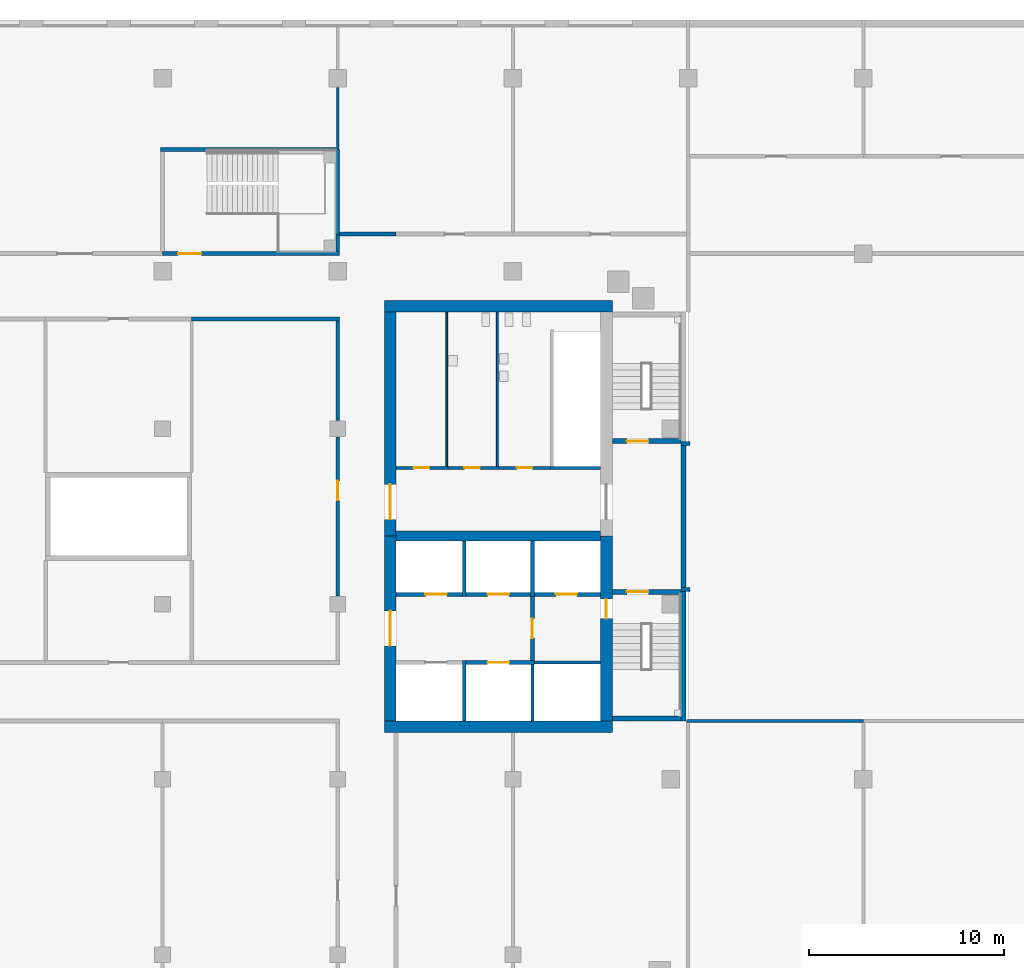
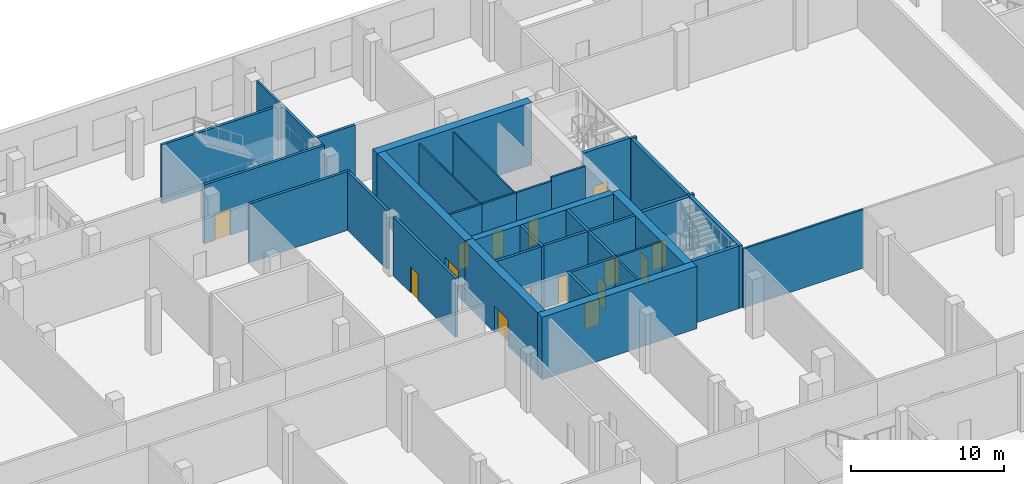
# One storey, part 6 of 21: 39 walls, 15 doors, 15 openings.
"""IFC4 building model written with IfcOpenShell, lengths in metres."""

import ifcopenshell
import ifcopenshell.guid

model = None  # the IFC model being written
_history = None  # IfcOwnerHistory: only IFC2X3 demands one
_inside = {}  # id of a spatial element -> (the spatial element, [elements in it])
_under = {}  # id of a project, library or spatial element -> (it, [spatial elements below it])
_declared = {}  # id of a project -> (the project, [libraries it declares])
_typed = {}  # id of a type object -> (the type object, [elements of that type])
_made_of = {}  # id of a material, layer set ... -> (it, [elements and type objects made of it])


def new_model(schema):
    """Start an empty IFC model of exactly this schema.

    Asked for "IFC4X3", IfcOpenShell would pick the latest addendum, in which some entities
    have other attributes; the version numbers below select the first issue.
    IFC2X3 requires an IfcOwnerHistory on every rooted entity: one is made here for all.
    """
    global model, _history
    if schema == "IFC4X3":
        model = ifcopenshell.file(schema_version=(4, 3, 0, 0))
    else:
        model = ifcopenshell.file(schema=schema)
    _inside.clear()
    _under.clear()
    _declared.clear()
    _typed.clear()
    _made_of.clear()
    _history = None
    if model.schema == "IFC2X3":
        org = make("IfcOrganization", Name="unknown")
        user = make(
            "IfcPersonAndOrganization",
            ThePerson=make("IfcPerson", FamilyName="unknown"),
            TheOrganization=org,
        )
        app = make(
            "IfcApplication",
            ApplicationDeveloper=org,
            Version="unknown",
            ApplicationFullName="unknown",
            ApplicationIdentifier="unknown",
        )
        _history = make(
            "IfcOwnerHistory",
            OwningUser=user,
            OwningApplication=app,
            ChangeAction="ADDED",
            CreationDate=0,
        )
    return model


def make(cls, **values):
    """One entity of the class cls with the attributes given. An attribute that is None is left unset."""
    return model.create_entity(
        cls, **{name: value for name, value in values.items() if value is not None}
    )


def rooted(cls, **values):
    """An entity with a GlobalId (a new one), such as an element, a storey or a relation."""
    return make(cls, GlobalId=ifcopenshell.guid.new(), OwnerHistory=_history, **values)


def si_unit(unit_type, name, prefix=None):
    """IfcSIUnit, for example si_unit("LENGTHUNIT", "METRE", prefix="MILLI")."""
    return make("IfcSIUnit", UnitType=unit_type, Prefix=prefix, Name=name)


def assignment(units):
    """IfcUnitAssignment: the units of a project."""
    return None if units is None else make("IfcUnitAssignment", Units=units)


def point(xyz):
    """IfcCartesianPoint."""
    return None if xyz is None else make("IfcCartesianPoint", Coordinates=xyz)


def direction(xyz):
    """IfcDirection."""
    return None if xyz is None else make("IfcDirection", DirectionRatios=xyz)


def frame(location, z_axis=None, x_axis=None):
    """IfcAxis2Placement3D, a coordinate frame: its origin and axes. An axis left out is left unset."""
    return make(
        "IfcAxis2Placement3D",
        Location=point(location),
        Axis=direction(z_axis),
        RefDirection=direction(x_axis),
    )


def frame_2d(location, x_axis=None):
    """IfcAxis2Placement2D, a coordinate frame in the plane: its origin and x axis."""
    return make(
        "IfcAxis2Placement2D", Location=point(location), RefDirection=direction(x_axis)
    )


def origin():
    """The frame at (0, 0, 0) with its axes left unset."""
    return frame((0.0, 0.0, 0.0))


def place(relative_to, where):
    """IfcLocalPlacement: puts the frame where relative to a parent placement (None: the world)."""
    return make(
        "IfcLocalPlacement", PlacementRelTo=relative_to, RelativePlacement=where
    )


def context(
    kind, dimensions, precision=None, world=None, true_north=None, identifier=None
):
    """IfcGeometricRepresentationContext, for example the 3D "Model" context."""
    return make(
        "IfcGeometricRepresentationContext",
        ContextIdentifier=identifier,
        ContextType=kind,
        CoordinateSpaceDimension=dimensions,
        Precision=precision,
        WorldCoordinateSystem=world,
        TrueNorth=true_north,
    )


def subcontext(parent, identifier, kind, view, scale=None):
    """IfcGeometricRepresentationSubContext, for example "Body" below "Model"."""
    return make(
        "IfcGeometricRepresentationSubContext",
        ContextIdentifier=identifier,
        ContextType=kind,
        ParentContext=parent,
        TargetScale=scale,
        TargetView=view,
    )


def project(units=None, contexts=None):
    """IfcProject with its units and contexts."""
    return rooted(
        "IfcProject",
        Name="project",
        RepresentationContexts=contexts,
        UnitsInContext=assignment(units),
    )


def spatial(cls, under=None, at=None, **own):
    """A site, building, storey or space (cls), placed at a placement, below another one or the project."""
    s = rooted(cls, ObjectPlacement=at, **own)
    if under is not None:
        _under.setdefault(under.id(), (under, []))[1].append(s)
    return s


def profile(cls, at=None, kind="AREA", **sizes):
    """A parametric profile (cls). Its sizes go by their IFC names, for example OverallWidth=200.0."""
    return make(cls, ProfileType=kind, Position=at, **sizes)


def rectangle(**sizes):
    """IfcRectangleProfileDef."""
    return profile("IfcRectangleProfileDef", **sizes)


def extrude(swept, where, along, depth):
    """IfcExtrudedAreaSolid: the profile swept, set in the frame where, extruded along a direction by depth."""
    return make(
        "IfcExtrudedAreaSolid",
        SweptArea=swept,
        Position=where,
        ExtrudedDirection=direction(along),
        Depth=depth,
    )


def shape(context_of_items, identifier, shape_type, items):
    """IfcShapeRepresentation: the items that make up one representation, for example the "Body"."""
    return make(
        "IfcShapeRepresentation",
        ContextOfItems=context_of_items,
        RepresentationIdentifier=identifier,
        RepresentationType=shape_type,
        Items=items,
    )


def material(Name=None, Category=None):
    """IfcMaterial."""
    return make("IfcMaterial", Name=Name, Category=Category)


def layer(
    of_material, thickness, ventilated=None, Name=None, Category=None, Priority=None
):
    """IfcMaterialLayer: one layer of a wall or slab, of a material (None: an air gap)."""
    return make(
        "IfcMaterialLayer",
        Material=of_material,
        LayerThickness=thickness,
        IsVentilated=ventilated,
        Name=Name,
        Category=Category,
        Priority=Priority,
    )


def layer_set(layers, Name=None):
    """IfcMaterialLayerSet."""
    return make("IfcMaterialLayerSet", MaterialLayers=layers, LayerSetName=Name)


def made_of(thing, what):
    """Note that an element or type object is made of a material, layer set ...; save() writes the relation."""
    if what is not None:
        _made_of.setdefault(what.id(), (what, []))[1].append(thing)
    return thing


def type_object(cls, material=None, **own):
    """A type object (cls), such as IfcWallType, which elements share."""
    return made_of(rooted(cls, **own), material)


def element(
    cls,
    number,
    at=None,
    inside=None,
    cuts=None,
    type_object=None,
    material=None,
    context=None,
    identifier="Body",
    shape_type=None,
    held_by="IfcProductDefinitionShape",
    body=None,
    shapes=None,
    **own,
):
    """One element of the class cls, such as IfcWall. Its Tag is "e" and its number.

    at: its placement. inside: the storey or other place that contains it. cuts: it is an
    opening in that element (IfcRelVoidsElement). A single representation is given by context,
    identifier, shape_type and body (its items); several are given by shapes. held_by: the class
    of the entity that holds the representations. save() writes the other relations.
    """
    e = rooted(cls, Tag="e%d" % number, ObjectPlacement=at, **own)
    if body is not None:
        shapes = [shape(context, identifier, shape_type, body)]
    if shapes is not None:
        e.Representation = make(held_by, Representations=shapes)
    if inside is not None:
        _inside.setdefault(inside.id(), (inside, []))[1].append(e)
    if cuts is not None:
        rooted(
            "IfcRelVoidsElement", RelatingBuildingElement=cuts, RelatedOpeningElement=e
        )
    if type_object is not None:
        _typed.setdefault(type_object.id(), (type_object, []))[1].append(e)
    return made_of(e, material)


def fill(opening, filler):
    """IfcRelFillsElement: the door or window that sits in an opening."""
    return rooted(
        "IfcRelFillsElement",
        RelatingOpeningElement=opening,
        RelatedBuildingElement=filler,
    )


def aggregate(whole, parts):
    """IfcRelAggregates: a whole, such as a stair, and the parts it consists of."""
    return rooted("IfcRelAggregates", RelatingObject=whole, RelatedObjects=parts)


def save(model, path):
    """Write the relations noted so far, then the file.

    IfcRelAggregates (storeys below a building ...), IfcRelContainedInSpatialStructure (elements
    in a storey), IfcRelDefinesByType, IfcRelAssociatesMaterial and IfcRelDeclares: one each for
    every whole, place, type object, material and project.
    """
    for whole, parts in _under.values():
        aggregate(whole, parts)
    for where, things in _inside.values():
        rooted(
            "IfcRelContainedInSpatialStructure",
            RelatedElements=things,
            RelatingStructure=where,
        )
    for kind, things in _typed.values():
        rooted("IfcRelDefinesByType", RelatedObjects=things, RelatingType=kind)
    for what, things in _made_of.values():
        rooted("IfcRelAssociatesMaterial", RelatedObjects=things, RelatingMaterial=what)
    for by, libraries in _declared.values():
        rooted("IfcRelDeclares", RelatingContext=by, RelatedDefinitions=libraries)
    model.write(path)


model = new_model("IFC4")

# Units and contexts
model_context = context("Model", 3, precision=1e-05, world=origin(), true_north=direction((0.0, 1.0)))
body_context = subcontext(model_context, "Body", "Model", "MODEL_VIEW")
ifc_project = project(units=[si_unit("LENGTHUNIT", "METRE"), si_unit("AREAUNIT", "SQUARE_METRE"), si_unit("VOLUMEUNIT", "CUBIC_METRE"), si_unit("PLANEANGLEUNIT", "RADIAN"), si_unit("MASSUNIT", "GRAM", prefix="KILO")], contexts=[model_context])

# Site, building, storey
site_placement = place(None, origin())
site = spatial("IfcSite", under=ifc_project, at=site_placement, CompositionType="ELEMENT")
building_placement = place(site_placement, origin())
building = spatial("IfcBuilding", under=site, at=building_placement, Name="Cinnabar Reach Civic Tower", CompositionType="ELEMENT")
storey_placement = place(building_placement, frame((0.0, 0.0, 11.0)))
storey = spatial("IfcBuildingStorey", under=building, at=storey_placement, Name="L02", CompositionType="ELEMENT", Elevation=11.0)

# Walls
ifc_material_1 = material(Name="Concrete C60", Category="concrete")
ifc_layer_1 = layer(ifc_material_1, 0.5)
ifc_layer_set_1 = layer_set([ifc_layer_1], Name="Core wall 500 EI 180")
wall_type_1 = type_object("IfcWallType", Name="Core wall 500 EI 180", PredefinedType="SOLIDWALL", material=ifc_layer_set_1)
wall_1_placement = place(storey_placement, frame((-42.0, 30.5, 0.0), z_axis=(0.0, 0.0, 1.0), x_axis=(1.0, 0.0, 0.0)))
element("IfcWall", 1, at=wall_1_placement, inside=storey, type_object=wall_type_1, Name="Core spine wall T2 L02", PredefinedType="SOLIDWALL", context=body_context, shape_type="SweptSolid", body=[
    extrude(rectangle(XDim=10.5, YDim=0.5, at=frame_2d((5.25, 0.0))), origin(), (0.0, 0.0, 1.0), 5.0),
])
ifc_material_2 = material(Name="Concrete C70", Category="concrete")
ifc_layer_2 = layer(ifc_material_2, 0.6)
ifc_layer_set_2 = layer_set([ifc_layer_2], Name="Core wall 600 EI 180")
wall_type_2 = type_object("IfcWallType", Name="Core wall 600 EI 180", PredefinedType="SOLIDWALL", material=ifc_layer_set_2)
for number, where, z_axis, x_axis, name in (
    (2, (-42.6, 20.7, 0.0), (0.0, 0.0, 1.0), (1.0, 0.0, 0.0), "Core wall T2 L02 S"),
    (3, (-30.9, 42.3, 0.0), (0.0, 0.0, 1.0), (-1.0, 0.0, 0.0), "Core wall T2 L02 N"),
):
    element("IfcWall", number, at=place(storey_placement, frame(where, z_axis=z_axis, x_axis=x_axis)), inside=storey, type_object=wall_type_2, Name=name, PredefinedType="SOLIDWALL", context=body_context, shape_type="SweptSolid", body=[
        extrude(rectangle(XDim=11.7, YDim=0.6, at=frame_2d((5.85, 0.0))), origin(), (0.0, 0.0, 1.0), 5.0),
    ])

# Wall, opening, door
wall_2_placement = place(storey_placement, frame((-31.2, 21.0, 0.0), z_axis=(0.0, 0.0, 1.0), x_axis=(0.0, 1.0, 0.0)))
wall_2 = element("IfcWall", 4, at=wall_2_placement, inside=storey, type_object=wall_type_2, Name="Core wall T2 L02 E", PredefinedType="SOLIDWALL", context=body_context, shape_type="SweptSolid", body=[
    extrude(rectangle(XDim=9.5, YDim=0.6, at=frame_2d((4.75, 0.0))), origin(), (0.0, 0.0, 1.0), 5.0),
])
opening_1_placement = place(wall_2_placement, frame((5.25, 0.0, 0.0)))
opening_1 = element("IfcOpeningElement", 5, at=opening_1_placement, cuts=wall_2, Name="Opening D6054", PredefinedType="OPENING", context=body_context, shape_type="SweptSolid", body=[
    extrude(rectangle(XDim=1.0, YDim=2.1, at=frame_2d((0.5, 1.05))), frame((0.0, 0.31, 0.0), z_axis=(0.0, -1.0, 0.0), x_axis=(1.0, 0.0, 0.0)), (0.0, 0.0, 1.0), 0.62),
])
ifc_material_3 = material(Name="Steel fire door", Category="steel")
door_type_1 = type_object("IfcDoorType", Name="T2 Firefighting lobby door 1000", OperationType="SINGLE_SWING_LEFT", PredefinedType="DOOR", material=ifc_material_3)
door_1_placement = place(opening_1_placement, frame((1.0, 0.0, 0.0), z_axis=(0.0, 0.0, 1.0), x_axis=(-1.0, 0.0, 0.0)))
door_1 = element("IfcDoor", 6, at=door_1_placement, inside=storey, type_object=door_type_1, Name="T2 Firefighting lobby door D6054", OperationType="SINGLE_SWING_LEFT", OverallHeight=2.1, OverallWidth=1.0, PredefinedType="DOOR", context=body_context, shape_type="SweptSolid", body=[
    extrude(rectangle(XDim=1.0, YDim=2.1, at=frame_2d((0.5, 1.05))), frame((0.0, 0.025, 0.0), z_axis=(0.0, -1.0, 0.0), x_axis=(1.0, 0.0, 0.0)), (0.0, 0.0, 1.0), 0.05),
])
fill(opening_1, door_1)

wall_3_placement = place(storey_placement, frame((-42.3, 42.0, 0.0), z_axis=(0.0, 0.0, 1.0), x_axis=(0.0, -1.0, 0.0)))
wall_3 = element("IfcWall", 7, at=wall_3_placement, inside=storey, type_object=wall_type_2, Name="Core wall T2 L02 W", PredefinedType="SOLIDWALL", context=body_context, shape_type="SweptSolid", body=[
    extrude(rectangle(XDim=11.5, YDim=0.6, at=frame_2d((5.75, 0.0))), origin(), (0.0, 0.0, 1.0), 5.0),
])
opening_2_placement = place(wall_3_placement, frame((8.85, 0.0, 0.0)))
opening_2 = element("IfcOpeningElement", 8, at=opening_2_placement, cuts=wall_3, Name="Opening D6059", PredefinedType="OPENING", context=body_context, shape_type="SweptSolid", body=[
    extrude(rectangle(XDim=1.8, YDim=2.1, at=frame_2d((0.9, 1.05))), frame((0.0, 0.31, 0.0), z_axis=(0.0, -1.0, 0.0), x_axis=(1.0, 0.0, 0.0)), (0.0, 0.0, 1.0), 0.62),
])
door_type_2 = type_object("IfcDoorType", Name="T2 Double door 1800", OperationType="DOUBLE_DOOR_SINGLE_SWING", PredefinedType="DOOR", material=ifc_material_3)
door_2_placement = place(opening_2_placement, frame((1.8, 0.0, 0.0), z_axis=(0.0, 0.0, 1.0), x_axis=(-1.0, 0.0, 0.0)))
door_2 = element("IfcDoor", 9, at=door_2_placement, inside=storey, type_object=door_type_2, Name="T2 Double door D6059", OperationType="DOUBLE_DOOR_SINGLE_SWING", OverallHeight=2.1, OverallWidth=1.8, PredefinedType="DOOR", context=body_context, shape_type="SweptSolid", body=[
    extrude(rectangle(XDim=1.8, YDim=2.1, at=frame_2d((0.9, 1.05))), frame((0.0, 0.025, 0.0), z_axis=(0.0, -1.0, 0.0), x_axis=(1.0, 0.0, 0.0)), (0.0, 0.0, 1.0), 0.05),
])
fill(opening_2, door_2)

wall_4_placement = place(storey_placement, frame((-42.3, 30.5, 0.0), z_axis=(0.0, 0.0, 1.0), x_axis=(0.0, -1.0, 0.0)))
wall_4 = element("IfcWall", 10, at=wall_4_placement, inside=storey, type_object=wall_type_2, Name="Core wall T2 L02 W2", PredefinedType="SOLIDWALL", context=body_context, shape_type="SweptSolid", body=[
    extrude(rectangle(XDim=9.5, YDim=0.6, at=frame_2d((4.75, 0.0))), origin(), (0.0, 0.0, 1.0), 5.0),
])
opening_3_placement = place(wall_4_placement, frame((3.85, 0.0, 0.0)))
opening_3 = element("IfcOpeningElement", 11, at=opening_3_placement, cuts=wall_4, Name="Opening D6058", PredefinedType="OPENING", context=body_context, shape_type="SweptSolid", body=[
    extrude(rectangle(XDim=1.8, YDim=2.1, at=frame_2d((0.9, 1.05))), frame((0.0, 0.31, 0.0), z_axis=(0.0, -1.0, 0.0), x_axis=(1.0, 0.0, 0.0)), (0.0, 0.0, 1.0), 0.62),
])
door_3_placement = place(opening_3_placement, origin())
door_3 = element("IfcDoor", 12, at=door_3_placement, inside=storey, type_object=door_type_2, Name="T2 Double door D6058", OperationType="DOUBLE_DOOR_SINGLE_SWING", OverallHeight=2.1, OverallWidth=1.8, PredefinedType="DOOR", context=body_context, shape_type="SweptSolid", body=[
    extrude(rectangle(XDim=1.8, YDim=2.1, at=frame_2d((0.9, 1.05))), frame((0.0, 0.025, 0.0), z_axis=(0.0, -1.0, 0.0), x_axis=(1.0, 0.0, 0.0)), (0.0, 0.0, 1.0), 0.05),
])
fill(opening_3, door_3)

ifc_material_4 = material(Name="Concrete blockwork", Category="masonry")
ifc_layer_3 = layer(ifc_material_4, 0.2)
ifc_layer_set_3 = layer_set([ifc_layer_3], Name="Podium masonry corridor wall 200 EI 120")
wall_type_3 = type_object("IfcWallType", Name="Podium masonry corridor wall 200 EI 120", PredefinedType="PARTITIONING", material=ifc_layer_set_3)
wall_5_placement = place(storey_placement, frame((-45.0, 27.42, 0.0), z_axis=(0.0, 0.0, 1.0), x_axis=(0.0, 1.0, 0.0)))
wall_5 = element("IfcWall", 13, at=wall_5_placement, inside=storey, type_object=wall_type_3, Name="Wall L02 71", PredefinedType="PARTITIONING", context=body_context, shape_type="SweptSolid", body=[
    extrude(rectangle(XDim=8.16, YDim=0.2, at=frame_2d((4.08, 0.0))), origin(), (0.0, 0.0, 1.0), 4.7),
])
opening_4_placement = place(wall_5_placement, frame((4.905, 0.0, 0.0)))
opening_4 = element("IfcOpeningElement", 14, at=opening_4_placement, cuts=wall_5, Name="Opening D1137", PredefinedType="OPENING", context=body_context, shape_type="SweptSolid", body=[
    extrude(rectangle(XDim=1.0, YDim=2.1, at=frame_2d((0.5, 1.05))), frame((0.0, 0.11, 0.0), z_axis=(0.0, -1.0, 0.0), x_axis=(1.0, 0.0, 0.0)), (0.0, 0.0, 1.0), 0.22),
])
ifc_material_5 = material(Name="Painted steel door leaf", Category="steel")
door_type_3 = type_object("IfcDoorType", Name="Podium single door 1000x2100", OperationType="SINGLE_SWING_LEFT", PredefinedType="DOOR", material=ifc_material_5)
door_4_placement = place(opening_4_placement, origin())
door_4 = element("IfcDoor", 15, at=door_4_placement, inside=storey, type_object=door_type_3, Name="Door D1137", OperationType="SINGLE_SWING_LEFT", OverallHeight=2.1, OverallWidth=1.0, PredefinedType="DOOR", context=body_context, shape_type="SweptSolid", body=[
    extrude(rectangle(XDim=1.0, YDim=2.1, at=frame_2d((0.5, 1.05))), frame((0.0, 0.025, 0.0), z_axis=(0.0, -1.0, 0.0), x_axis=(1.0, 0.0, 0.0)), (0.0, 0.0, 1.0), 0.05),
])
fill(opening_4, door_4)

# Walls
wall_6_placement = place(storey_placement, frame((-45.0, 36.42, 0.0), z_axis=(0.0, 0.0, 1.0), x_axis=(0.0, 1.0, 0.0)))
element("IfcWall", 16, at=wall_6_placement, inside=storey, type_object=wall_type_3, Name="Wall L02 72", PredefinedType="PARTITIONING", context=body_context, shape_type="SweptSolid", body=[
    extrude(rectangle(XDim=5.13, YDim=0.2, at=frame_2d((2.565, 0.0))), origin(), (0.0, 0.0, 1.0), 4.7),
])
wall_7_placement = place(storey_placement, frame((-52.5, 41.65, 0.0), z_axis=(0.0, 0.0, 1.0), x_axis=(1.0, 0.0, 0.0)))
element("IfcWall", 17, at=wall_7_placement, inside=storey, type_object=wall_type_3, Name="Wall L02 85", PredefinedType="PARTITIONING", context=body_context, shape_type="SweptSolid", body=[
    extrude(rectangle(XDim=7.6, YDim=0.2, at=frame_2d((3.8, 0.0))), origin(), (0.0, 0.0, 1.0), 4.7),
])
wall_8_placement = place(storey_placement, frame((-44.9, 46.0, 0.0), z_axis=(0.0, 0.0, 1.0), x_axis=(1.0, 0.0, 0.0)))
element("IfcWall", 18, at=wall_8_placement, inside=storey, type_object=wall_type_3, Name="Wall L02 89", PredefinedType="PARTITIONING", context=body_context, shape_type="SweptSolid", body=[
    extrude(rectangle(XDim=2.9, YDim=0.2, at=frame_2d((1.45, 0.0))), origin(), (0.0, 0.0, 1.0), 4.7),
])
ifc_material_6 = material(Name="Gypsum board on steel studs", Category="steel")
ifc_layer_4 = layer(ifc_material_6, 0.15)
ifc_layer_set_4 = layer_set([ifc_layer_4], Name="Podium partition wall 150 EI 90")
wall_type_4 = type_object("IfcWallType", Name="Podium partition wall 150 EI 90", PredefinedType="PARTITIONING", material=ifc_layer_set_4)
wall_9_placement = place(storey_placement, frame((-27.075, 21.0, 0.0), z_axis=(0.0, 0.0, 1.0), x_axis=(1.0, 0.0, 0.0)))
element("IfcWall", 19, at=wall_9_placement, inside=storey, type_object=wall_type_4, Name="Wall L02 129", PredefinedType="PARTITIONING", context=body_context, shape_type="SweptSolid", body=[
    extrude(rectangle(XDim=9.075, YDim=0.15, at=frame_2d((4.5375, 0.0))), origin(), (0.0, 0.0, 1.0), 4.7),
])
wall_10_placement = place(storey_placement, frame((-45.0, 50.35, 0.0), z_axis=(0.0, 0.0, 1.0), x_axis=(0.0, 1.0, 0.0)))
element("IfcWall", 20, at=wall_10_placement, inside=storey, type_object=wall_type_4, Name="Wall L02 217", PredefinedType="PARTITIONING", context=body_context, shape_type="SweptSolid", body=[
    extrude(rectangle(XDim=3.18, YDim=0.15, at=frame_2d((1.59, 0.0))), origin(), (0.0, 0.0, 1.0), 4.7),
])
ifc_material_7 = material(Name="Concrete C40", Category="concrete")
ifc_layer_5 = layer(ifc_material_7, 0.2)
ifc_layer_set_5 = layer_set([ifc_layer_5], Name="Podium stair shaft wall 200 EI 120")
wall_type_5 = type_object("IfcWallType", Name="Podium stair shaft wall 200 EI 120", PredefinedType="SOLIDWALL", material=ifc_layer_set_5)
wall_11_placement = place(storey_placement, frame((-45.0, 45.1, 0.0), z_axis=(0.0, 0.0, 1.0), x_axis=(0.0, 1.0, 0.0)))
element("IfcWall", 21, at=wall_11_placement, inside=storey, type_object=wall_type_5, Name="Wall L02 28", PredefinedType="SOLIDWALL", context=body_context, shape_type="SweptSolid", body=[
    extrude(rectangle(XDim=0.9, YDim=0.2, at=frame_2d((0.45, 0.0))), origin(), (0.0, 0.0, 1.0), 4.7),
])

# Wall, opening, door
wall_12_placement = place(storey_placement, frame((-54.0, 45.0, 0.0), z_axis=(0.0, 0.0, 1.0), x_axis=(1.0, 0.0, 0.0)))
wall_12 = element("IfcWall", 22, at=wall_12_placement, inside=storey, type_object=wall_type_5, Name="Wall L02 29", PredefinedType="SOLIDWALL", context=body_context, shape_type="SweptSolid", body=[
    extrude(rectangle(XDim=9.1, YDim=0.2, at=frame_2d((4.55, 0.0))), origin(), (0.0, 0.0, 1.0), 4.7),
])
opening_5_placement = place(wall_12_placement, frame((0.8, 0.0, 0.0)))
opening_5 = element("IfcOpeningElement", 23, at=opening_5_placement, cuts=wall_12, Name="Opening D1159", PredefinedType="OPENING", context=body_context, shape_type="SweptSolid", body=[
    extrude(rectangle(XDim=1.2, YDim=2.1, at=frame_2d((0.6, 1.05))), frame((0.0, 0.11, 0.0), z_axis=(0.0, -1.0, 0.0), x_axis=(1.0, 0.0, 0.0)), (0.0, 0.0, 1.0), 0.22),
])
door_type_4 = type_object("IfcDoorType", Name="Podium single door 1200x2100", OperationType="SINGLE_SWING_LEFT", PredefinedType="DOOR", material=ifc_material_5)
door_5_placement = place(opening_5_placement, origin())
door_5 = element("IfcDoor", 24, at=door_5_placement, inside=storey, type_object=door_type_4, Name="Door D1159", OperationType="SINGLE_SWING_LEFT", OverallHeight=2.1, OverallWidth=1.2, PredefinedType="DOOR", context=body_context, shape_type="SweptSolid", body=[
    extrude(rectangle(XDim=1.2, YDim=2.1, at=frame_2d((0.6, 1.05))), frame((0.0, 0.025, 0.0), z_axis=(0.0, -1.0, 0.0), x_axis=(1.0, 0.0, 0.0)), (0.0, 0.0, 1.0), 0.05),
])
fill(opening_5, door_5)

# Walls
wall_13_placement = place(storey_placement, frame((-54.1, 50.35, 0.0), z_axis=(0.0, 0.0, 1.0), x_axis=(1.0, 0.0, 0.0)))
element("IfcWall", 25, at=wall_13_placement, inside=storey, type_object=wall_type_5, Name="Wall L02 30", PredefinedType="SOLIDWALL", context=body_context, shape_type="SweptSolid", body=[
    extrude(rectangle(XDim=9.0, YDim=0.2, at=frame_2d((4.5, 0.0))), origin(), (0.0, 0.0, 1.0), 4.7),
])
wall_14_placement = place(storey_placement, frame((-45.0, 46.0, 0.0), z_axis=(0.0, 0.0, 1.0), x_axis=(0.0, 1.0, 0.0)))
element("IfcWall", 26, at=wall_14_placement, inside=storey, type_object=wall_type_5, Name="Wall L02 32", PredefinedType="SOLIDWALL", context=body_context, shape_type="SweptSolid", body=[
    extrude(rectangle(XDim=4.35, YDim=0.2, at=frame_2d((2.175, 0.0))), origin(), (0.0, 0.0, 1.0), 4.7),
])
ifc_layer_6 = layer(ifc_material_1, 0.25)
ifc_layer_set_6 = layer_set([ifc_layer_6], Name="Stair shaft wall 250 EI 120")
wall_type_6 = type_object("IfcWallType", Name="Stair shaft wall 250 EI 120", PredefinedType="SOLIDWALL", material=ifc_layer_set_6)
wall_15_placement = place(storey_placement, frame((-30.9, 21.125, 0.0), z_axis=(0.0, 0.0, 1.0), x_axis=(1.0, 0.0, 0.0)))
element("IfcWall", 27, at=wall_15_placement, inside=storey, type_object=wall_type_6, Name="Stair shaft wall T2-S1 L02", PredefinedType="SOLIDWALL", context=body_context, shape_type="SweptSolid", body=[
    extrude(rectangle(XDim=3.54, YDim=0.25, at=frame_2d((1.77, 0.0))), origin(), (0.0, 0.0, 1.0), 5.0),
])

# Wall, opening, door
wall_16_placement = place(storey_placement, frame((-27.36, 27.625, 0.0), z_axis=(0.0, 0.0, 1.0), x_axis=(-1.0, 0.0, 0.0)))
wall_16 = element("IfcWall", 28, at=wall_16_placement, inside=storey, type_object=wall_type_6, Name="Stair shaft wall T2-S1 L02", PredefinedType="SOLIDWALL", context=body_context, shape_type="SweptSolid", body=[
    extrude(rectangle(XDim=3.54, YDim=0.25, at=frame_2d((1.77, 0.0))), origin(), (0.0, 0.0, 1.0), 5.0),
])
opening_6_placement = place(wall_16_placement, frame((1.69, 0.0, 0.0)))
opening_6 = element("IfcOpeningElement", 29, at=opening_6_placement, cuts=wall_16, Name="Opening D6055", PredefinedType="OPENING", context=body_context, shape_type="SweptSolid", body=[
    extrude(rectangle(XDim=1.1, YDim=2.1, at=frame_2d((0.55, 1.05))), frame((0.0, 0.135, 0.0), z_axis=(0.0, -1.0, 0.0), x_axis=(1.0, 0.0, 0.0)), (0.0, 0.0, 1.0), 0.27),
])
door_type_5 = type_object("IfcDoorType", Name="T2 Stair door 1100", OperationType="SINGLE_SWING_LEFT", PredefinedType="DOOR", material=ifc_material_3)
door_6_placement = place(opening_6_placement, origin())
door_6 = element("IfcDoor", 30, at=door_6_placement, inside=storey, type_object=door_type_5, Name="T2 Stair door D6055", OperationType="SINGLE_SWING_RIGHT", OverallHeight=2.1, OverallWidth=1.1, PredefinedType="DOOR", context=body_context, shape_type="SweptSolid", body=[
    extrude(rectangle(XDim=1.1, YDim=2.1, at=frame_2d((0.55, 1.05))), frame((0.0, 0.025, 0.0), z_axis=(0.0, -1.0, 0.0), x_axis=(1.0, 0.0, 0.0)), (0.0, 0.0, 1.0), 0.05),
])
fill(opening_6, door_6)

wall_17_placement = place(storey_placement, frame((-30.9, 35.375, 0.0), z_axis=(0.0, 0.0, 1.0), x_axis=(1.0, 0.0, 0.0)))
wall_17 = element("IfcWall", 31, at=wall_17_placement, inside=storey, type_object=wall_type_6, Name="Stair shaft wall T2-S2 L02", PredefinedType="SOLIDWALL", context=body_context, shape_type="SweptSolid", body=[
    extrude(rectangle(XDim=3.54, YDim=0.25, at=frame_2d((1.77, 0.0))), origin(), (0.0, 0.0, 1.0), 5.0),
])
opening_7_placement = place(wall_17_placement, frame((0.75, 0.0, 0.0)))
opening_7 = element("IfcOpeningElement", 32, at=opening_7_placement, cuts=wall_17, Name="Opening D6056", PredefinedType="OPENING", context=body_context, shape_type="SweptSolid", body=[
    extrude(rectangle(XDim=1.1, YDim=2.1, at=frame_2d((0.55, 1.05))), frame((0.0, 0.135, 0.0), z_axis=(0.0, -1.0, 0.0), x_axis=(1.0, 0.0, 0.0)), (0.0, 0.0, 1.0), 0.27),
])
door_7_placement = place(opening_7_placement, origin())
door_7 = element("IfcDoor", 33, at=door_7_placement, inside=storey, type_object=door_type_5, Name="T2 Stair door D6056", OperationType="SINGLE_SWING_RIGHT", OverallHeight=2.1, OverallWidth=1.1, PredefinedType="DOOR", context=body_context, shape_type="SweptSolid", body=[
    extrude(rectangle(XDim=1.1, YDim=2.1, at=frame_2d((0.55, 1.05))), frame((0.0, 0.025, 0.0), z_axis=(0.0, -1.0, 0.0), x_axis=(1.0, 0.0, 0.0)), (0.0, 0.0, 1.0), 0.05),
])
fill(opening_7, door_7)

# Walls
wall_18_placement = place(storey_placement, frame((-27.235, 21.0, 0.0), z_axis=(0.0, 0.0, 1.0), x_axis=(0.0, 1.0, 0.0)))
element("IfcWall", 34, at=wall_18_placement, inside=storey, type_object=wall_type_6, Name="Stair shaft wall T2-STRIP L02", PredefinedType="SOLIDWALL", context=body_context, shape_type="SweptSolid", body=[
    extrude(rectangle(XDim=6.65, YDim=0.25, at=frame_2d((3.325, 0.0))), origin(), (0.0, 0.0, 1.0), 5.0),
])
wall_19_placement = place(storey_placement, frame((-27.235, 27.85, 0.0), z_axis=(0.0, 0.0, 1.0), x_axis=(0.0, 1.0, 0.0)))
element("IfcWall", 35, at=wall_19_placement, inside=storey, type_object=wall_type_6, Name="Stair shaft wall T2-STRIP L02", PredefinedType="SOLIDWALL", context=body_context, shape_type="SweptSolid", body=[
    extrude(rectangle(XDim=7.3, YDim=0.25, at=frame_2d((3.65, 0.0))), origin(), (0.0, 0.0, 1.0), 5.0),
])

# Wall, opening, door
ifc_material_8 = material(Name="Masonry block partition", Category="masonry")
ifc_layer_7 = layer(ifc_material_8, 0.15)
ifc_layer_set_7 = layer_set([ifc_layer_7], Name="T2 Corridor wall 150")
wall_type_7 = type_object("IfcWallType", Name="T2 Corridor wall 150", PredefinedType="PARTITIONING", material=ifc_layer_set_7)
wall_20_placement = place(storey_placement, frame((-39.325, 34.0, 0.0), z_axis=(0.0, 0.0, 1.0), x_axis=(-1.0, 0.0, 0.0)))
wall_20 = element("IfcWall", 36, at=wall_20_placement, inside=storey, type_object=wall_type_7, Name="T2 Corridor wall L02 016", PredefinedType="PARTITIONING", context=body_context, shape_type="SweptSolid", body=[
    extrude(rectangle(XDim=2.675, YDim=0.15, at=frame_2d((1.3375, 0.0))), origin(), (0.0, 0.0, 1.0), 4.7),
])
opening_8_placement = place(wall_20_placement, frame((0.975, 0.0, 0.0)))
opening_8 = element("IfcOpeningElement", 37, at=opening_8_placement, cuts=wall_20, Name="Opening D6060", PredefinedType="OPENING", context=body_context, shape_type="SweptSolid", body=[
    extrude(rectangle(XDim=0.8, YDim=2.1, at=frame_2d((0.4, 1.05))), frame((0.0, 0.085, 0.0), z_axis=(0.0, -1.0, 0.0), x_axis=(1.0, 0.0, 0.0)), (0.0, 0.0, 1.0), 0.17),
])
ifc_material_9 = material(Name="Timber door leaf", Category="wood")
door_type_6 = type_object("IfcDoorType", Name="T2 Bathroom door 800", OperationType="SINGLE_SWING_LEFT", PredefinedType="DOOR", material=ifc_material_9)
door_8_placement = place(opening_8_placement, frame((0.8, 0.0, 0.0), z_axis=(0.0, 0.0, 1.0), x_axis=(-1.0, 0.0, 0.0)))
door_8 = element("IfcDoor", 38, at=door_8_placement, inside=storey, type_object=door_type_6, Name="T2 Bathroom door D6060", OperationType="SINGLE_SWING_LEFT", OverallHeight=2.1, OverallWidth=0.8, PredefinedType="DOOR", context=body_context, shape_type="SweptSolid", body=[
    extrude(rectangle(XDim=0.8, YDim=2.1, at=frame_2d((0.4, 1.05))), frame((0.0, 0.025, 0.0), z_axis=(0.0, -1.0, 0.0), x_axis=(1.0, 0.0, 0.0)), (0.0, 0.0, 1.0), 0.05),
])
fill(opening_8, door_8)

wall_21_placement = place(storey_placement, frame((-36.725, 34.0, 0.0), z_axis=(0.0, 0.0, 1.0), x_axis=(-1.0, 0.0, 0.0)))
wall_21 = element("IfcWall", 39, at=wall_21_placement, inside=storey, type_object=wall_type_7, Name="T2 Corridor wall L02 017", PredefinedType="PARTITIONING", context=body_context, shape_type="SweptSolid", body=[
    extrude(rectangle(XDim=2.6, YDim=0.15, at=frame_2d((1.3, 0.0))), origin(), (0.0, 0.0, 1.0), 4.7),
])
opening_9_placement = place(wall_21_placement, frame((0.975, 0.0, 0.0)))
opening_9 = element("IfcOpeningElement", 40, at=opening_9_placement, cuts=wall_21, Name="Opening D6061", PredefinedType="OPENING", context=body_context, shape_type="SweptSolid", body=[
    extrude(rectangle(XDim=0.8, YDim=2.1, at=frame_2d((0.4, 1.05))), frame((0.0, 0.085, 0.0), z_axis=(0.0, -1.0, 0.0), x_axis=(1.0, 0.0, 0.0)), (0.0, 0.0, 1.0), 0.17),
])
door_9_placement = place(opening_9_placement, frame((0.8, 0.0, 0.0), z_axis=(0.0, 0.0, 1.0), x_axis=(-1.0, 0.0, 0.0)))
door_9 = element("IfcDoor", 41, at=door_9_placement, inside=storey, type_object=door_type_6, Name="T2 Bathroom door D6061", OperationType="SINGLE_SWING_RIGHT", OverallHeight=2.1, OverallWidth=0.8, PredefinedType="DOOR", context=body_context, shape_type="SweptSolid", body=[
    extrude(rectangle(XDim=0.8, YDim=2.1, at=frame_2d((0.4, 1.05))), frame((0.0, 0.025, 0.0), z_axis=(0.0, -1.0, 0.0), x_axis=(1.0, 0.0, 0.0)), (0.0, 0.0, 1.0), 0.05),
])
fill(opening_9, door_9)

wall_22_placement = place(storey_placement, frame((-34.075, 34.0, 0.0), z_axis=(0.0, 0.0, 1.0), x_axis=(-1.0, 0.0, 0.0)))
wall_22 = element("IfcWall", 42, at=wall_22_placement, inside=storey, type_object=wall_type_7, Name="T2 Corridor wall L02 018", PredefinedType="PARTITIONING", context=body_context, shape_type="SweptSolid", body=[
    extrude(rectangle(XDim=2.65, YDim=0.15, at=frame_2d((1.325, 0.0))), origin(), (0.0, 0.0, 1.0), 4.7),
])
opening_10_placement = place(wall_22_placement, frame((0.925, 0.0, 0.0)))
opening_10 = element("IfcOpeningElement", 43, at=opening_10_placement, cuts=wall_22, Name="Opening D6062", PredefinedType="OPENING", context=body_context, shape_type="SweptSolid", body=[
    extrude(rectangle(XDim=0.8, YDim=2.1, at=frame_2d((0.4, 1.05))), frame((0.0, 0.085, 0.0), z_axis=(0.0, -1.0, 0.0), x_axis=(1.0, 0.0, 0.0)), (0.0, 0.0, 1.0), 0.17),
])
door_10_placement = place(opening_10_placement, frame((0.8, 0.0, 0.0), z_axis=(0.0, 0.0, 1.0), x_axis=(-1.0, 0.0, 0.0)))
door_10 = element("IfcDoor", 44, at=door_10_placement, inside=storey, type_object=door_type_6, Name="T2 Bathroom door D6062", OperationType="SINGLE_SWING_LEFT", OverallHeight=2.1, OverallWidth=0.8, PredefinedType="DOOR", context=body_context, shape_type="SweptSolid", body=[
    extrude(rectangle(XDim=0.8, YDim=2.1, at=frame_2d((0.4, 1.05))), frame((0.0, 0.025, 0.0), z_axis=(0.0, -1.0, 0.0), x_axis=(1.0, 0.0, 0.0)), (0.0, 0.0, 1.0), 0.05),
])
fill(opening_10, door_10)

# Walls
ifc_material_10 = material(Name="Gypsum board partition")
ifc_layer_8 = layer(ifc_material_10, 0.1)
ifc_layer_set_8 = layer_set([ifc_layer_8], Name="T2 Internal partition 100")
wall_type_8 = type_object("IfcWallType", Name="T2 Internal partition 100", PredefinedType="PARTITIONING", material=ifc_layer_set_8)
for number, where, z_axis, x_axis, name in (
    (45, (-39.4, 34.075, 0.0), (0.0, 0.0, 1.0), (0.0, 1.0, 0.0), "T2 Internal partition L02 019"),
    (46, (-36.8, 34.075, 0.0), (0.0, 0.0, 1.0), (0.0, 1.0, 0.0), "T2 Internal partition L02 020"),
):
    element("IfcWall", number, at=place(storey_placement, frame(where, z_axis=z_axis, x_axis=x_axis)), inside=storey, type_object=wall_type_8, Name=name, PredefinedType="PARTITIONING", context=body_context, shape_type="SweptSolid", body=[
        extrude(rectangle(XDim=7.925, YDim=0.1, at=frame_2d((3.9625, 0.0))), origin(), (0.0, 0.0, 1.0), 4.7),
    ])
ifc_layer_9 = layer(ifc_material_7, 0.15)
ifc_layer_set_9 = layer_set([ifc_layer_9], Name="T2 Riser wall 150")
wall_type_9 = type_object("IfcWallType", Name="T2 Riser wall 150", PredefinedType="SOLIDWALL", material=ifc_layer_set_9)
wall_23_placement = place(storey_placement, frame((-35.0, 21.0, 0.0), z_axis=(0.0, 0.0, 1.0), x_axis=(0.0, 1.0, 0.0)))
element("IfcWall", 47, at=wall_23_placement, inside=storey, type_object=wall_type_9, Name="T2 Riser wall L02 012", PredefinedType="SOLIDWALL", context=body_context, shape_type="SweptSolid", body=[
    extrude(rectangle(XDim=2.9, YDim=0.15, at=frame_2d((1.45, 0.0))), origin(), (0.0, 0.0, 1.0), 5.0),
])
wall_24_placement = place(storey_placement, frame((-31.5, 24.0, 0.0), z_axis=(0.0, 0.0, 1.0), x_axis=(-1.0, 0.0, 0.0)))
element("IfcWall", 48, at=wall_24_placement, inside=storey, type_object=wall_type_9, Name="T2 Riser wall L02 013", PredefinedType="SOLIDWALL", context=body_context, shape_type="SweptSolid", body=[
    extrude(rectangle(XDim=3.4, YDim=0.15, at=frame_2d((1.7, 0.0))), origin(), (0.0, 0.0, 1.0), 5.0),
])
wall_25_placement = place(storey_placement, frame((-34.075, 34.0, 0.0), z_axis=(0.0, 0.0, 1.0), x_axis=(1.0, 0.0, 0.0)))
element("IfcWall", 49, at=wall_25_placement, inside=storey, type_object=wall_type_9, Name="T2 Riser wall L02 014", PredefinedType="SOLIDWALL", context=body_context, shape_type="SweptSolid", body=[
    extrude(rectangle(XDim=2.575, YDim=0.15, at=frame_2d((1.2875, 0.0))), origin(), (0.0, 0.0, 1.0), 5.0),
])
ifc_layer_10 = layer(ifc_material_7, 0.2)
ifc_layer_set_10 = layer_set([ifc_layer_10], Name="T2 Shaft wall 200")
wall_type_10 = type_object("IfcWallType", Name="T2 Shaft wall 200", PredefinedType="SOLIDWALL", material=ifc_layer_set_10)
wall_26_placement = place(storey_placement, frame((-38.5, 21.0, 0.0), z_axis=(0.0, 0.0, 1.0), x_axis=(0.0, 1.0, 0.0)))
element("IfcWall", 50, at=wall_26_placement, inside=storey, type_object=wall_type_10, Name="T2 Shaft wall L02 001", PredefinedType="SOLIDWALL", context=body_context, shape_type="SweptSolid", body=[
    extrude(rectangle(XDim=3.1, YDim=0.2, at=frame_2d((1.55, 0.0))), origin(), (0.0, 0.0, 1.0), 5.0),
])

# Wall, opening, door
wall_27_placement = place(storey_placement, frame((-34.9, 24.0, 0.0), z_axis=(0.0, 0.0, 1.0), x_axis=(-1.0, 0.0, 0.0)))
wall_27 = element("IfcWall", 51, at=wall_27_placement, inside=storey, type_object=wall_type_10, Name="T2 Shaft wall L02 003", PredefinedType="SOLIDWALL", context=body_context, shape_type="SweptSolid", body=[
    extrude(rectangle(XDim=3.5, YDim=0.2, at=frame_2d((1.75, 0.0))), origin(), (0.0, 0.0, 1.0), 5.0),
])
opening_11_placement = place(wall_27_placement, frame((1.3, 0.0, 0.0)))
opening_11 = element("IfcOpeningElement", 52, at=opening_11_placement, cuts=wall_27, Name="Opening D6049", PredefinedType="OPENING", context=body_context, shape_type="SweptSolid", body=[
    extrude(rectangle(XDim=1.1, YDim=2.1, at=frame_2d((0.55, 1.05))), frame((0.0, 0.11, 0.0), z_axis=(0.0, -1.0, 0.0), x_axis=(1.0, 0.0, 0.0)), (0.0, 0.0, 1.0), 0.22),
])
door_type_7 = type_object("IfcDoorType", Name="T2 Lift landing door 1100", OperationType="SLIDING_TO_LEFT", PredefinedType="DOOR", material=ifc_material_3)
door_11_placement = place(opening_11_placement, origin())
door_11 = element("IfcDoor", 53, at=door_11_placement, inside=storey, type_object=door_type_7, Name="T2 Lift landing door D6049", OperationType="SLIDING_TO_LEFT", OverallHeight=2.1, OverallWidth=1.1, PredefinedType="DOOR", context=body_context, shape_type="SweptSolid", body=[
    extrude(rectangle(XDim=1.1, YDim=2.1, at=frame_2d((0.55, 1.05))), frame((0.0, 0.025, 0.0), z_axis=(0.0, -1.0, 0.0), x_axis=(1.0, 0.0, 0.0)), (0.0, 0.0, 1.0), 0.05),
])
fill(opening_11, door_11)

# Wall
wall_28_placement = place(storey_placement, frame((-38.5, 27.4, 0.0), z_axis=(0.0, 0.0, 1.0), x_axis=(0.0, 1.0, 0.0)))
element("IfcWall", 54, at=wall_28_placement, inside=storey, type_object=wall_type_10, Name="T2 Shaft wall L02 004", PredefinedType="SOLIDWALL", context=body_context, shape_type="SweptSolid", body=[
    extrude(rectangle(XDim=2.85, YDim=0.2, at=frame_2d((1.425, 0.0))), origin(), (0.0, 0.0, 1.0), 5.0),
])

# Wall, opening, door
wall_29_placement = place(storey_placement, frame((-42.0, 27.5, 0.0), z_axis=(0.0, 0.0, 1.0), x_axis=(1.0, 0.0, 0.0)))
wall_29 = element("IfcWall", 55, at=wall_29_placement, inside=storey, type_object=wall_type_10, Name="T2 Shaft wall L02 005", PredefinedType="SOLIDWALL", context=body_context, shape_type="SweptSolid", body=[
    extrude(rectangle(XDim=3.4, YDim=0.2, at=frame_2d((1.7, 0.0))), origin(), (0.0, 0.0, 1.0), 5.0),
])
opening_12_placement = place(wall_29_placement, frame((1.5, 0.0, 0.0)))
opening_12 = element("IfcOpeningElement", 56, at=opening_12_placement, cuts=wall_29, Name="Opening D6050", PredefinedType="OPENING", context=body_context, shape_type="SweptSolid", body=[
    extrude(rectangle(XDim=1.1, YDim=2.1, at=frame_2d((0.55, 1.05))), frame((0.0, 0.11, 0.0), z_axis=(0.0, -1.0, 0.0), x_axis=(1.0, 0.0, 0.0)), (0.0, 0.0, 1.0), 0.22),
])
door_12_placement = place(opening_12_placement, origin())
door_12 = element("IfcDoor", 57, at=door_12_placement, inside=storey, type_object=door_type_7, Name="T2 Lift landing door D6050", OperationType="SLIDING_TO_LEFT", OverallHeight=2.1, OverallWidth=1.1, PredefinedType="DOOR", context=body_context, shape_type="SweptSolid", body=[
    extrude(rectangle(XDim=1.1, YDim=2.1, at=frame_2d((0.55, 1.05))), frame((0.0, 0.025, 0.0), z_axis=(0.0, -1.0, 0.0), x_axis=(1.0, 0.0, 0.0)), (0.0, 0.0, 1.0), 0.05),
])
fill(opening_12, door_12)

# Wall
wall_30_placement = place(storey_placement, frame((-35.0, 27.4, 0.0), z_axis=(0.0, 0.0, 1.0), x_axis=(0.0, 1.0, 0.0)))
element("IfcWall", 58, at=wall_30_placement, inside=storey, type_object=wall_type_10, Name="T2 Shaft wall L02 006", PredefinedType="SOLIDWALL", context=body_context, shape_type="SweptSolid", body=[
    extrude(rectangle(XDim=2.85, YDim=0.2, at=frame_2d((1.425, 0.0))), origin(), (0.0, 0.0, 1.0), 5.0),
])

# Wall, opening, door
wall_31_placement = place(storey_placement, frame((-38.4, 27.5, 0.0), z_axis=(0.0, 0.0, 1.0), x_axis=(1.0, 0.0, 0.0)))
wall_31 = element("IfcWall", 59, at=wall_31_placement, inside=storey, type_object=wall_type_10, Name="T2 Shaft wall L02 007", PredefinedType="SOLIDWALL", context=body_context, shape_type="SweptSolid", body=[
    extrude(rectangle(XDim=3.3, YDim=0.2, at=frame_2d((1.65, 0.0))), origin(), (0.0, 0.0, 1.0), 5.0),
])
opening_13_placement = place(wall_31_placement, frame((1.1, 0.0, 0.0)))
opening_13 = element("IfcOpeningElement", 60, at=opening_13_placement, cuts=wall_31, Name="Opening D6051", PredefinedType="OPENING", context=body_context, shape_type="SweptSolid", body=[
    extrude(rectangle(XDim=1.1, YDim=2.1, at=frame_2d((0.55, 1.05))), frame((0.0, 0.11, 0.0), z_axis=(0.0, -1.0, 0.0), x_axis=(1.0, 0.0, 0.0)), (0.0, 0.0, 1.0), 0.22),
])
door_13_placement = place(opening_13_placement, origin())
door_13 = element("IfcDoor", 61, at=door_13_placement, inside=storey, type_object=door_type_7, Name="T2 Lift landing door D6051", OperationType="SLIDING_TO_LEFT", OverallHeight=2.1, OverallWidth=1.1, PredefinedType="DOOR", context=body_context, shape_type="SweptSolid", body=[
    extrude(rectangle(XDim=1.1, YDim=2.1, at=frame_2d((0.55, 1.05))), frame((0.0, 0.025, 0.0), z_axis=(0.0, -1.0, 0.0), x_axis=(1.0, 0.0, 0.0)), (0.0, 0.0, 1.0), 0.05),
])
fill(opening_13, door_13)

wall_32_placement = place(storey_placement, frame((-34.9, 27.5, 0.0), z_axis=(0.0, 0.0, 1.0), x_axis=(1.0, 0.0, 0.0)))
wall_32 = element("IfcWall", 62, at=wall_32_placement, inside=storey, type_object=wall_type_10, Name="T2 Shaft wall L02 008", PredefinedType="SOLIDWALL", context=body_context, shape_type="SweptSolid", body=[
    extrude(rectangle(XDim=3.4, YDim=0.2, at=frame_2d((1.7, 0.0))), origin(), (0.0, 0.0, 1.0), 5.0),
])
opening_14_placement = place(wall_32_placement, frame((1.1, 0.0, 0.0)))
opening_14 = element("IfcOpeningElement", 63, at=opening_14_placement, cuts=wall_32, Name="Opening D6052", PredefinedType="OPENING", context=body_context, shape_type="SweptSolid", body=[
    extrude(rectangle(XDim=1.1, YDim=2.1, at=frame_2d((0.55, 1.05))), frame((0.0, 0.11, 0.0), z_axis=(0.0, -1.0, 0.0), x_axis=(1.0, 0.0, 0.0)), (0.0, 0.0, 1.0), 0.22),
])
door_type_8 = type_object("IfcDoorType", Name="T2 Firefighting lift landing door 1100", OperationType="SLIDING_TO_LEFT", PredefinedType="DOOR", material=ifc_material_3)
door_14_placement = place(opening_14_placement, origin())
door_14 = element("IfcDoor", 64, at=door_14_placement, inside=storey, type_object=door_type_8, Name="T2 Firefighting lift landing door D6052", OperationType="SLIDING_TO_LEFT", OverallHeight=2.1, OverallWidth=1.1, PredefinedType="DOOR", context=body_context, shape_type="SweptSolid", body=[
    extrude(rectangle(XDim=1.1, YDim=2.1, at=frame_2d((0.55, 1.05))), frame((0.0, 0.025, 0.0), z_axis=(0.0, -1.0, 0.0), x_axis=(1.0, 0.0, 0.0)), (0.0, 0.0, 1.0), 0.05),
])
fill(opening_14, door_14)

wall_33_placement = place(storey_placement, frame((-35.0, 24.1, 0.0), z_axis=(0.0, 0.0, 1.0), x_axis=(0.0, 1.0, 0.0)))
wall_33 = element("IfcWall", 65, at=wall_33_placement, inside=storey, type_object=wall_type_10, Name="T2 Shaft wall L02 009", PredefinedType="SOLIDWALL", context=body_context, shape_type="SweptSolid", body=[
    extrude(rectangle(XDim=3.3, YDim=0.2, at=frame_2d((1.65, 0.0))), origin(), (0.0, 0.0, 1.0), 5.0),
])
opening_15_placement = place(wall_33_placement, frame((1.15, 0.0, 0.0)))
opening_15 = element("IfcOpeningElement", 66, at=opening_15_placement, cuts=wall_33, Name="Opening D6053", PredefinedType="OPENING", context=body_context, shape_type="SweptSolid", body=[
    extrude(rectangle(XDim=1.0, YDim=2.1, at=frame_2d((0.5, 1.05))), frame((0.0, 0.11, 0.0), z_axis=(0.0, -1.0, 0.0), x_axis=(1.0, 0.0, 0.0)), (0.0, 0.0, 1.0), 0.22),
])
door_15_placement = place(opening_15_placement, origin())
door_15 = element("IfcDoor", 67, at=door_15_placement, inside=storey, type_object=door_type_1, Name="T2 Firefighting lobby door D6053", OperationType="SINGLE_SWING_RIGHT", OverallHeight=2.1, OverallWidth=1.0, PredefinedType="DOOR", context=body_context, shape_type="SweptSolid", body=[
    extrude(rectangle(XDim=1.0, YDim=2.1, at=frame_2d((0.5, 1.05))), frame((0.0, 0.025, 0.0), z_axis=(0.0, -1.0, 0.0), x_axis=(1.0, 0.0, 0.0)), (0.0, 0.0, 1.0), 0.05),
])
fill(opening_15, door_15)

# Walls
ifc_layer_11 = layer(ifc_material_7, 0.2)
ifc_layer_set_11 = layer_set([ifc_layer_11], Name="T2 Stair enclosure wall 200")
wall_type_11 = type_object("IfcWallType", Name="T2 Stair enclosure wall 200", PredefinedType="SOLIDWALL", material=ifc_layer_set_11)
for number, where, z_axis, x_axis, name in (
    (68, (-27.36, 27.75, 0.0), (0.0, 0.0, 1.0), (1.0, 0.0, 0.0), "T2 Stair enclosure wall L02 010"),
    (69, (-26.9, 35.25, 0.0), (0.0, 0.0, 1.0), (-1.0, 0.0, 0.0), "T2 Stair enclosure wall L02 011"),
):
    element("IfcWall", number, at=place(storey_placement, frame(where, z_axis=z_axis, x_axis=x_axis)), inside=storey, type_object=wall_type_11, Name=name, PredefinedType="SOLIDWALL", context=body_context, shape_type="SweptSolid", body=[
        extrude(rectangle(XDim=0.46, YDim=0.2, at=frame_2d((0.23, 0.0))), origin(), (0.0, 0.0, 1.0), 5.0),
    ])

save(model, "model.ifc")
